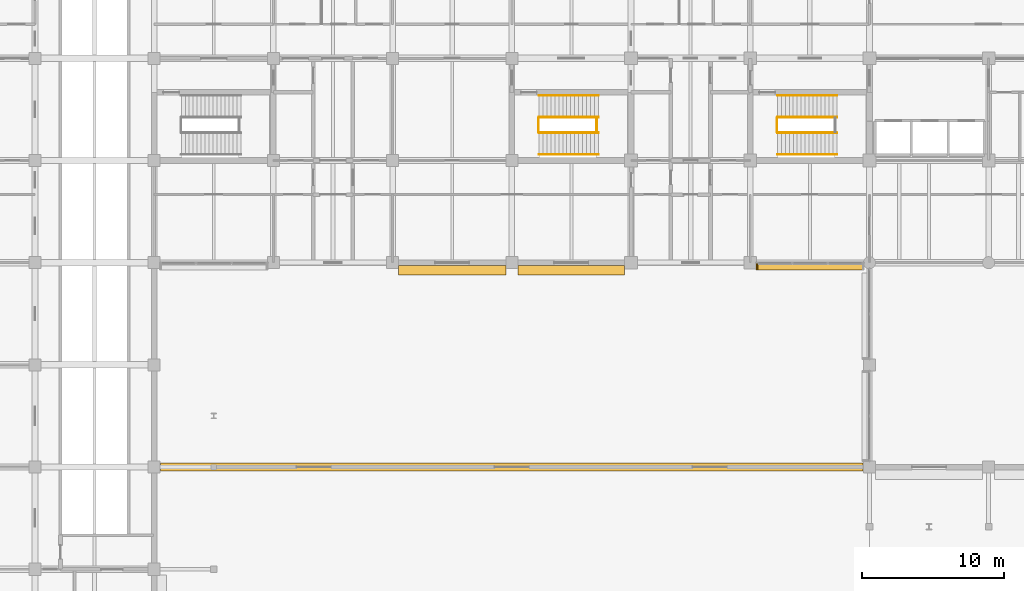
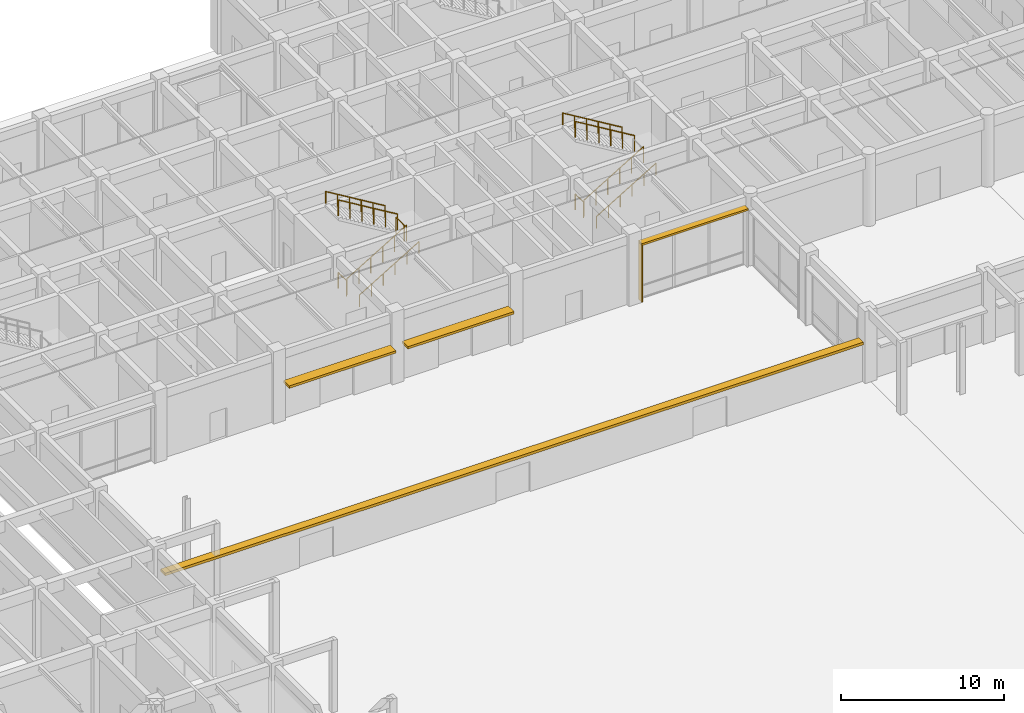
# One storey, part 67 of 73: 11 railings, 5 shading devices.
"""IFC4 building model written with IfcOpenShell, lengths in metres."""

from ifc_helpers import new_model, si_unit, direction, frame, origin, origin_2d, place, context, subcontext, project, spatial, rectangle, circle, extrude, material, type_object, element, save


model = new_model("IFC4")

# Units and contexts
model_context = context("Model", 3, precision=1e-05, world=origin(), true_north=direction((0.0, 1.0)))
body_context = subcontext(model_context, "Body", "Model", "MODEL_VIEW")
ifc_project = project(units=[si_unit("LENGTHUNIT", "METRE"), si_unit("AREAUNIT", "SQUARE_METRE"), si_unit("VOLUMEUNIT", "CUBIC_METRE"), si_unit("PLANEANGLEUNIT", "RADIAN"), si_unit("MASSUNIT", "GRAM", prefix="KILO")], contexts=[model_context])

# Site, building, storey
site_placement = place(None, origin())
site = spatial("IfcSite", under=ifc_project, at=site_placement, CompositionType="ELEMENT")
building_placement = place(site_placement, origin())
building = spatial("IfcBuilding", under=site, at=building_placement, Name="Chengyuan Square Courthouse", CompositionType="ELEMENT")
storey_placement = place(building_placement, origin())
storey = spatial("IfcBuildingStorey", under=building, at=storey_placement, Name="L01", CompositionType="ELEMENT", Elevation=0.0)

# Railings
ifc_material_1 = material(Name="Tempered Glass and Timber Top-Rail Balustrade", Category="wood")
railing_type_1 = type_object("IfcRailingType", Name="RL-02", PredefinedType="BALUSTRADE", material=ifc_material_1)
railing_1_placement = place(storey_placement, frame((60.68994140625, 88.39990234375, 0.0)))
element("IfcRailing", 1, at=railing_1_placement, inside=storey, type_object=railing_type_1, Name="Stair Floor Slot Guard ST-3 L01", PredefinedType="BALUSTRADE", context=body_context, shape_type="SweptSolid", body=[
    extrude(circle(Radius=0.02392578125, at=origin_2d()), frame((0.0, 0.0, 1.17578125), z_axis=(0.0, 1.0, 0.0), x_axis=(-1.0, 0.0, 0.0)), (0.0, 0.0, 1.0), 1.0),
    extrude(circle(Radius=0.02099609375, at=origin_2d()), origin(), (0.0, 0.0, 1.0), 1.15185546875),
    extrude(circle(Radius=0.02099609375, at=origin_2d()), frame((0.0, 1.0, 0.0)), (0.0, 0.0, 1.0), 1.15185546875),
])
railing_2_placement = place(storey_placement, frame((60.7099609375, 88.35009765625, 0.168701171875)))
element("IfcRailing", 2, at=railing_2_placement, inside=storey, type_object=railing_type_1, Name="Stair Flight 1 Guard ST-3-L01", PredefinedType="BALUSTRADE", context=body_context, shape_type="SweptSolid", body=[
    extrude(circle(Radius=0.02392578125, at=origin_2d()), frame((0.0, 0.0, 1.17578125), z_axis=(0.856476492594, 0.0, 0.516186030065), x_axis=(0.0, 1.0, 0.0)), (0.0, 0.0, 1.0), 4.90380859375),
    extrude(circle(Radius=0.02099609375, at=origin_2d()), origin(), (0.0, 0.0, 1.0), 1.15185546875),
    extrude(circle(Radius=0.02099609375, at=origin_2d()), frame((0.840087890625, 0.0, 0.50634765625)), (0.0, 0.0, 1.0), 1.15185546875),
    extrude(circle(Radius=0.02099609375, at=origin_2d()), frame((1.679931640625, 0.0, 1.012451171875)), (0.0, 0.0, 1.0), 1.15185546875),
    extrude(circle(Radius=0.02099609375, at=origin_2d()), frame((2.52001953125, 0.0, 1.518798828125)), (0.0, 0.0, 1.0), 1.15185546875),
    extrude(circle(Radius=0.02099609375, at=origin_2d()), frame((3.35986328125, 0.0, 2.02490234375)), (0.0, 0.0, 1.0), 1.15185546875),
    extrude(circle(Radius=0.02099609375, at=origin_2d()), frame((4.199951171875, 0.0, 2.53125)), (0.0, 0.0, 1.0), 1.15185546875),
])
railing_3_placement = place(storey_placement, frame((64.909912109375, 89.449951171875, 2.868896484375)))
element("IfcRailing", 3, at=railing_3_placement, inside=storey, type_object=railing_type_1, Name="Stair Flight 2 Guard ST-3-L01", PredefinedType="BALUSTRADE", context=body_context, shape_type="SweptSolid", body=[
    extrude(circle(Radius=0.02392578125, at=origin_2d()), frame((0.0, 0.0, 1.17578125), z_axis=(-0.856498503035, 0.0, 0.5161495077), x_axis=(0.0, -1.0, 0.0)), (0.0, 0.0, 1.0), 4.903564453125),
    extrude(circle(Radius=0.02099609375, at=origin_2d()), origin(), (0.0, 0.0, 1.0), 1.15185546875),
    extrude(circle(Radius=0.02099609375, at=origin_2d()), frame((-0.840087890625, 0.0, 0.506103515625)), (0.0, 0.0, 1.0), 1.15185546875),
    extrude(circle(Radius=0.02099609375, at=origin_2d()), frame((-1.679931640625, 0.0, 1.012451171875)), (0.0, 0.0, 1.0), 1.15185546875),
    extrude(circle(Radius=0.02099609375, at=origin_2d()), frame((-2.52001953125, 0.0, 1.5185546875)), (0.0, 0.0, 1.0), 1.15185546875),
    extrude(circle(Radius=0.02099609375, at=origin_2d()), frame((-3.35986328125, 0.0, 2.02490234375)), (0.0, 0.0, 1.0), 1.15185546875),
    extrude(circle(Radius=0.02099609375, at=origin_2d()), frame((-4.199951171875, 0.0, 2.531005859375)), (0.0, 0.0, 1.0), 1.15185546875),
])
for number, where, name in (
    (4, (43.889892578125, 88.39990234375, 0.0), "Stair Floor Slot Guard ST-5 L01"),
    (5, (47.989990234375, 88.39990234375, 2.699951171875), "Stair Landing Guard ST-5-L01"),
):
    element("IfcRailing", number, at=place(storey_placement, frame(where)), inside=storey, type_object=railing_type_1, Name=name, PredefinedType="BALUSTRADE", context=body_context, shape_type="SweptSolid", body=[
        extrude(circle(Radius=0.02392578125, at=origin_2d()), frame((0.0, 0.0, 1.17578125), z_axis=(0.0, 1.0, 0.0), x_axis=(-1.0, 0.0, 0.0)), (0.0, 0.0, 1.0), 1.0),
        extrude(circle(Radius=0.02099609375, at=origin_2d()), origin(), (0.0, 0.0, 1.0), 1.15185546875),
        extrude(circle(Radius=0.02099609375, at=origin_2d()), frame((0.0, 1.0, 0.0)), (0.0, 0.0, 1.0), 1.15185546875),
    ])
railing_4_placement = place(storey_placement, frame((43.909912109375, 88.35009765625, 0.168701171875)))
element("IfcRailing", 6, at=railing_4_placement, inside=storey, type_object=railing_type_1, Name="Stair Flight 1 Guard ST-5-L01", PredefinedType="BALUSTRADE", context=body_context, shape_type="SweptSolid", body=[
    extrude(circle(Radius=0.02392578125, at=origin_2d()), frame((0.0, 0.0, 1.17578125), z_axis=(0.856489757249, 0.0, 0.516164020179), x_axis=(0.0, 1.0, 0.0)), (0.0, 0.0, 1.0), 4.904052734375),
    extrude(circle(Radius=0.02099609375, at=origin_2d()), origin(), (0.0, 0.0, 1.0), 1.15185546875),
    extrude(circle(Radius=0.02099609375, at=origin_2d()), frame((0.840087890625, 0.0, 0.50634765625)), (0.0, 0.0, 1.0), 1.15185546875),
    extrude(circle(Radius=0.02099609375, at=origin_2d()), frame((1.68017578125, 0.0, 1.012451171875)), (0.0, 0.0, 1.0), 1.15185546875),
    extrude(circle(Radius=0.02099609375, at=origin_2d()), frame((2.52001953125, 0.0, 1.518798828125)), (0.0, 0.0, 1.0), 1.15185546875),
    extrude(circle(Radius=0.02099609375, at=origin_2d()), frame((3.360107421875, 0.0, 2.02490234375)), (0.0, 0.0, 1.0), 1.15185546875),
    extrude(circle(Radius=0.02099609375, at=origin_2d()), frame((4.2001953125, 0.0, 2.53125)), (0.0, 0.0, 1.0), 1.15185546875),
])
railing_5_placement = place(storey_placement, frame((48.110107421875, 89.449951171875, 2.868896484375)))
element("IfcRailing", 7, at=railing_5_placement, inside=storey, type_object=railing_type_1, Name="Stair Flight 2 Guard ST-5-L01", PredefinedType="BALUSTRADE", context=body_context, shape_type="SweptSolid", body=[
    extrude(circle(Radius=0.02392578125, at=origin_2d()), frame((0.0, 0.0, 1.17578125), z_axis=(-0.856511766154, 0.0, 0.51612749824), x_axis=(0.0, -1.0, 0.0)), (0.0, 0.0, 1.0), 4.90380859375),
    extrude(circle(Radius=0.02099609375, at=origin_2d()), origin(), (0.0, 0.0, 1.0), 1.15185546875),
    extrude(circle(Radius=0.02099609375, at=origin_2d()), frame((-0.840087890625, 0.0, 0.506103515625)), (0.0, 0.0, 1.0), 1.15185546875),
    extrude(circle(Radius=0.02099609375, at=origin_2d()), frame((-1.68017578125, 0.0, 1.012451171875)), (0.0, 0.0, 1.0), 1.15185546875),
    extrude(circle(Radius=0.02099609375, at=origin_2d()), frame((-2.52001953125, 0.0, 1.5185546875)), (0.0, 0.0, 1.0), 1.15185546875),
    extrude(circle(Radius=0.02099609375, at=origin_2d()), frame((-3.360107421875, 0.0, 2.02490234375)), (0.0, 0.0, 1.0), 1.15185546875),
    extrude(circle(Radius=0.02099609375, at=origin_2d()), frame((-4.2001953125, 0.0, 2.531005859375)), (0.0, 0.0, 1.0), 1.15185546875),
])
ifc_material_2 = material(Name="Stainless Steel S30408 Stair Handrail", Category="steel")
railing_type_2 = type_object("IfcRailingType", Name="RL-04", PredefinedType="HANDRAIL", material=ifc_material_2)
railing_6_placement = place(storey_placement, frame((60.7099609375, 86.820068359375, 0.168701171875)))
element("IfcRailing", 8, at=railing_6_placement, inside=storey, type_object=railing_type_2, Name="Stair Flight 1 Handrail ST-3-L01", PredefinedType="HANDRAIL", context=body_context, shape_type="SweptSolid", body=[
    extrude(circle(Radius=0.02392578125, at=origin_2d()), frame((0.0, 0.0, 0.8759765625), z_axis=(0.856476492594, 0.0, 0.516186030065), x_axis=(0.0, 1.0, 0.0)), (0.0, 0.0, 1.0), 4.90380859375),
    extrude(circle(Radius=0.02099609375, at=origin_2d()), origin(), (0.0, 0.0, 1.0), 0.851806640625),
    extrude(circle(Radius=0.02099609375, at=origin_2d()), frame((0.840087890625, 0.0, 0.50634765625)), (0.0, 0.0, 1.0), 0.851806640625),
    extrude(circle(Radius=0.02099609375, at=origin_2d()), frame((1.679931640625, 0.0, 1.012451171875)), (0.0, 0.0, 1.0), 0.851806640625),
    extrude(circle(Radius=0.02099609375, at=origin_2d()), frame((2.52001953125, 0.0, 1.518798828125)), (0.0, 0.0, 1.0), 0.851806640625),
    extrude(circle(Radius=0.02099609375, at=origin_2d()), frame((3.35986328125, 0.0, 2.02490234375)), (0.0, 0.0, 1.0), 0.851806640625),
    extrude(circle(Radius=0.02099609375, at=origin_2d()), frame((4.199951171875, 0.0, 2.53125)), (0.0, 0.0, 1.0), 0.851806640625),
])
railing_7_placement = place(storey_placement, frame((64.909912109375, 90.97998046875, 2.868896484375)))
element("IfcRailing", 9, at=railing_7_placement, inside=storey, type_object=railing_type_2, Name="Stair Flight 2 Handrail ST-3-L01", PredefinedType="HANDRAIL", context=body_context, shape_type="SweptSolid", body=[
    extrude(circle(Radius=0.02392578125, at=origin_2d()), frame((0.0, 0.0, 0.8759765625), z_axis=(-0.856498503035, 0.0, 0.5161495077), x_axis=(0.0, -1.0, 0.0)), (0.0, 0.0, 1.0), 4.903564453125),
    extrude(circle(Radius=0.02099609375, at=origin_2d()), origin(), (0.0, 0.0, 1.0), 0.851806640625),
    extrude(circle(Radius=0.02099609375, at=origin_2d()), frame((-0.840087890625, 0.0, 0.506103515625)), (0.0, 0.0, 1.0), 0.851806640625),
    extrude(circle(Radius=0.02099609375, at=origin_2d()), frame((-1.679931640625, 0.0, 1.012451171875)), (0.0, 0.0, 1.0), 0.851806640625),
    extrude(circle(Radius=0.02099609375, at=origin_2d()), frame((-2.52001953125, 0.0, 1.5185546875)), (0.0, 0.0, 1.0), 0.851806640625),
    extrude(circle(Radius=0.02099609375, at=origin_2d()), frame((-3.35986328125, 0.0, 2.02490234375)), (0.0, 0.0, 1.0), 0.851806640625),
    extrude(circle(Radius=0.02099609375, at=origin_2d()), frame((-4.199951171875, 0.0, 2.531005859375)), (0.0, 0.0, 1.0), 0.851806640625),
])
railing_8_placement = place(storey_placement, frame((43.909912109375, 86.820068359375, 0.168701171875)))
element("IfcRailing", 10, at=railing_8_placement, inside=storey, type_object=railing_type_2, Name="Stair Flight 1 Handrail ST-5-L01", PredefinedType="HANDRAIL", context=body_context, shape_type="SweptSolid", body=[
    extrude(circle(Radius=0.02392578125, at=origin_2d()), frame((0.0, 0.0, 0.8759765625), z_axis=(0.856489757249, 0.0, 0.516164020179), x_axis=(0.0, 1.0, 0.0)), (0.0, 0.0, 1.0), 4.904052734375),
    extrude(circle(Radius=0.02099609375, at=origin_2d()), origin(), (0.0, 0.0, 1.0), 0.851806640625),
    extrude(circle(Radius=0.02099609375, at=origin_2d()), frame((0.840087890625, 0.0, 0.50634765625)), (0.0, 0.0, 1.0), 0.851806640625),
    extrude(circle(Radius=0.02099609375, at=origin_2d()), frame((1.68017578125, 0.0, 1.012451171875)), (0.0, 0.0, 1.0), 0.851806640625),
    extrude(circle(Radius=0.02099609375, at=origin_2d()), frame((2.52001953125, 0.0, 1.518798828125)), (0.0, 0.0, 1.0), 0.851806640625),
    extrude(circle(Radius=0.02099609375, at=origin_2d()), frame((3.360107421875, 0.0, 2.02490234375)), (0.0, 0.0, 1.0), 0.851806640625),
    extrude(circle(Radius=0.02099609375, at=origin_2d()), frame((4.2001953125, 0.0, 2.53125)), (0.0, 0.0, 1.0), 0.851806640625),
])
railing_9_placement = place(storey_placement, frame((48.110107421875, 90.97998046875, 2.868896484375)))
element("IfcRailing", 11, at=railing_9_placement, inside=storey, type_object=railing_type_2, Name="Stair Flight 2 Handrail ST-5-L01", PredefinedType="HANDRAIL", context=body_context, shape_type="SweptSolid", body=[
    extrude(circle(Radius=0.02392578125, at=origin_2d()), frame((0.0, 0.0, 0.8759765625), z_axis=(-0.856511766154, 0.0, 0.51612749824), x_axis=(0.0, -1.0, 0.0)), (0.0, 0.0, 1.0), 4.90380859375),
    extrude(circle(Radius=0.02099609375, at=origin_2d()), origin(), (0.0, 0.0, 1.0), 0.851806640625),
    extrude(circle(Radius=0.02099609375, at=origin_2d()), frame((-0.840087890625, 0.0, 0.506103515625)), (0.0, 0.0, 1.0), 0.851806640625),
    extrude(circle(Radius=0.02099609375, at=origin_2d()), frame((-1.68017578125, 0.0, 1.012451171875)), (0.0, 0.0, 1.0), 0.851806640625),
    extrude(circle(Radius=0.02099609375, at=origin_2d()), frame((-2.52001953125, 0.0, 1.5185546875)), (0.0, 0.0, 1.0), 0.851806640625),
    extrude(circle(Radius=0.02099609375, at=origin_2d()), frame((-3.360107421875, 0.0, 2.02490234375)), (0.0, 0.0, 1.0), 0.851806640625),
    extrude(circle(Radius=0.02099609375, at=origin_2d()), frame((-4.2001953125, 0.0, 2.531005859375)), (0.0, 0.0, 1.0), 0.851806640625),
])

# Shading devices
ifc_material_3 = material(Name="Glulam TCt28 Solar Shading Fin", Category="wood")
shading_device_type_1 = type_object("IfcShadingDeviceType", Name="SHD-01", PredefinedType="JALOUSIE", material=ifc_material_3)
shading_device_1_placement = place(storey_placement, frame((59.280029296875, 78.91796875, 0.0400390625), z_axis=(0.0, 0.0, 1.0), x_axis=(0.0, 1.0, 0.0)))
element("IfcShadingDevice", 12, at=shading_device_1_placement, inside=storey, type_object=shading_device_type_1, Name="Glulam Solar Fin SHD-L01-0054", PredefinedType="JALOUSIE", context=body_context, shape_type="SweptSolid", body=[
    extrude(rectangle(XDim=0.419921875, YDim=0.094970703125, at=origin_2d()), origin(), (0.0, 0.0, 1.0), 4.260009765625),
])
ifc_material_4 = material(Name="Glulam TCt28 Sunshade Louvre", Category="wood")
shading_device_type_2 = type_object("IfcShadingDeviceType", Name="SHD-02", PredefinedType="AWNING", material=ifc_material_4)
shading_device_2_placement = place(storey_placement, frame((63.012451171875, 78.91796875, 4.30029296875), z_axis=(0.0, 0.0, 1.0), x_axis=(1.0, 0.0, 0.0)))
element("IfcShadingDevice", 13, at=shading_device_2_placement, inside=storey, type_object=shading_device_type_2, Name="Glulam Sunshade Louvre SHD-L01-0056", PredefinedType="AWNING", context=body_context, shape_type="SweptSolid", body=[
    extrude(rectangle(XDim=7.52490234375, YDim=0.43994140625, at=origin_2d()), origin(), (0.0, 0.0, 1.0), 0.139892578125),
])
ifc_material_5 = material(Name="Glulam TCt28 Entrance Canopy", Category="wood")
shading_device_type_3 = type_object("IfcShadingDeviceType", Name="SHD-05", PredefinedType="AWNING", material=ifc_material_5)
shading_device_3_placement = place(storey_placement, frame((37.800048828125, 78.66796875, 2.66015625), z_axis=(0.0, 0.0, 1.0), x_axis=(1.0, 0.0, 0.0)))
element("IfcShadingDevice", 14, at=shading_device_3_placement, inside=storey, type_object=shading_device_type_3, Name="Glulam Entrance Canopy SHD-L01-0052", PredefinedType="AWNING", context=body_context, shape_type="SweptSolid", body=[
    extrude(rectangle(XDim=7.56005859375, YDim=0.699951171875, at=origin_2d()), origin(), (0.0, 0.0, 1.0), 0.179931640625),
])
shading_device_4_placement = place(storey_placement, frame((46.1875, 78.66796875, 2.66015625), z_axis=(0.0, 0.0, 1.0), x_axis=(1.0, 0.0, 0.0)))
element("IfcShadingDevice", 15, at=shading_device_4_placement, inside=storey, type_object=shading_device_type_3, Name="Glulam Entrance Canopy SHD-L01-0053", PredefinedType="AWNING", context=body_context, shape_type="SweptSolid", body=[
    extrude(rectangle(XDim=7.534912109375, YDim=0.699951171875, at=origin_2d()), origin(), (0.0, 0.0, 1.0), 0.179931640625),
])
ifc_material_6 = material(Name="Glulam TCt28 Screen Coping", Category="wood")
shading_device_type_4 = type_object("IfcShadingDeviceType", Name="SHD-07", PredefinedType="AWNING", material=ifc_material_6)
shading_device_5_placement = place(storey_placement, frame((42.0, 64.800048828125, 2.83984375), z_axis=(0.0, 0.0, 1.0), x_axis=(1.0, 0.0, 0.0)))
element("IfcShadingDevice", 16, at=shading_device_5_placement, inside=storey, type_object=shading_device_type_4, Name="Glulam Forecourt Screen Coping SHD-L01-0966", PredefinedType="AWNING", context=body_context, shape_type="SweptSolid", body=[
    extrude(rectangle(XDim=49.5, YDim=0.56005859375, at=origin_2d()), origin(), (0.0, 0.0, 1.0), 0.199951171875),
])

save(model, "model.ifc")
